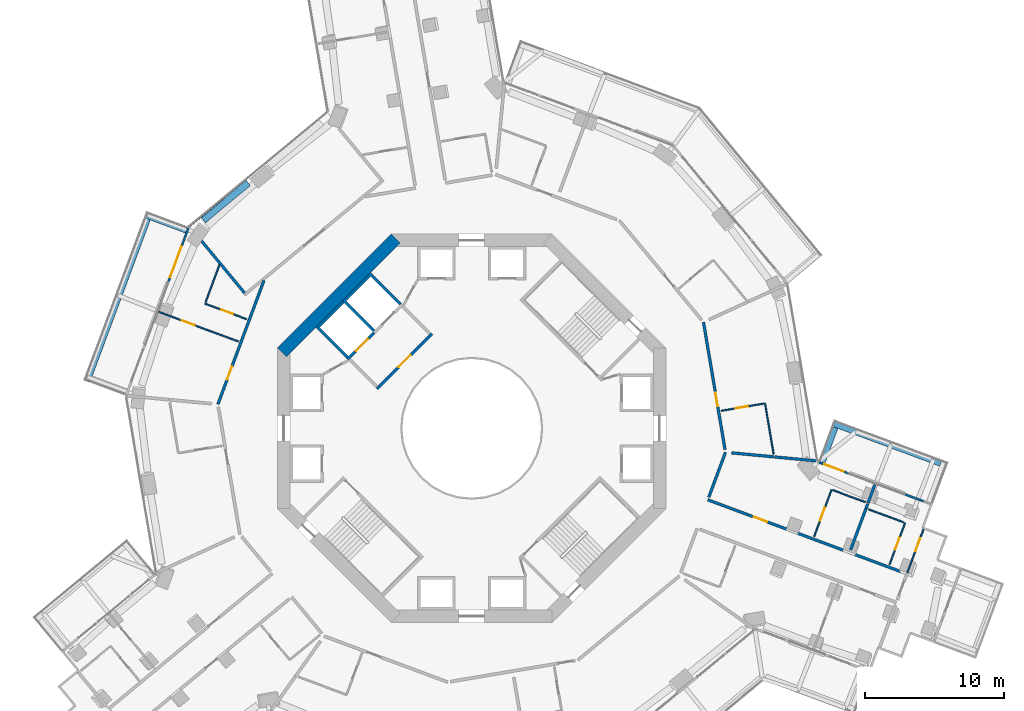
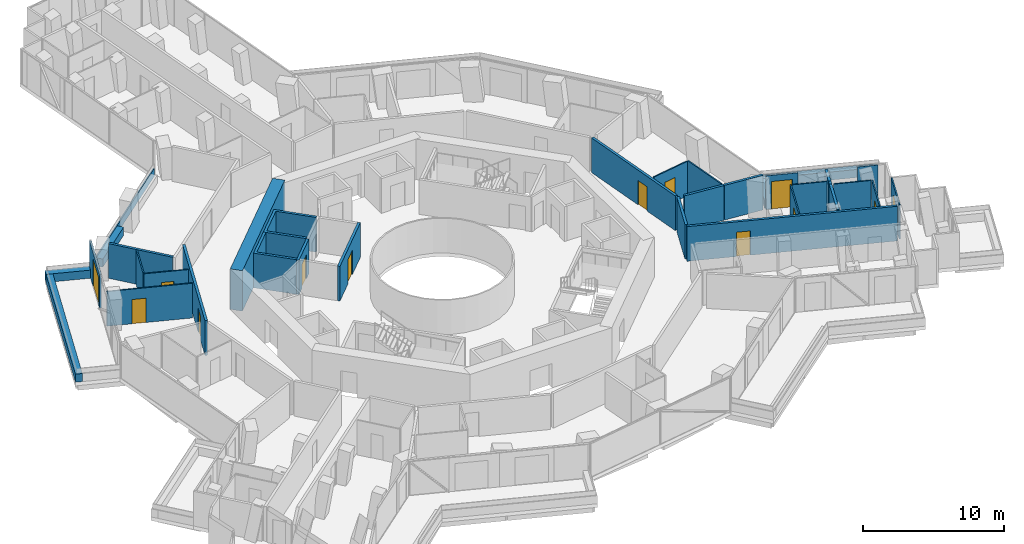
# One storey, part 22 of 27: 34 walls, 13 doors, 13 openings.
"""IFC4 building model written with IfcOpenShell, lengths in metres."""

import ifcopenshell
import ifcopenshell.guid

model = None  # the IFC model being written
_history = None  # IfcOwnerHistory: only IFC2X3 demands one
_inside = {}  # id of a spatial element -> (the spatial element, [elements in it])
_under = {}  # id of a project, library or spatial element -> (it, [spatial elements below it])
_declared = {}  # id of a project -> (the project, [libraries it declares])
_typed = {}  # id of a type object -> (the type object, [elements of that type])
_made_of = {}  # id of a material, layer set ... -> (it, [elements and type objects made of it])


def new_model(schema):
    """Start an empty IFC model of exactly this schema.

    Asked for "IFC4X3", IfcOpenShell would pick the latest addendum, in which some entities
    have other attributes; the version numbers below select the first issue.
    IFC2X3 requires an IfcOwnerHistory on every rooted entity: one is made here for all.
    """
    global model, _history
    if schema == "IFC4X3":
        model = ifcopenshell.file(schema_version=(4, 3, 0, 0))
    else:
        model = ifcopenshell.file(schema=schema)
    _inside.clear()
    _under.clear()
    _declared.clear()
    _typed.clear()
    _made_of.clear()
    _history = None
    if model.schema == "IFC2X3":
        org = make("IfcOrganization", Name="unknown")
        user = make(
            "IfcPersonAndOrganization",
            ThePerson=make("IfcPerson", FamilyName="unknown"),
            TheOrganization=org,
        )
        app = make(
            "IfcApplication",
            ApplicationDeveloper=org,
            Version="unknown",
            ApplicationFullName="unknown",
            ApplicationIdentifier="unknown",
        )
        _history = make(
            "IfcOwnerHistory",
            OwningUser=user,
            OwningApplication=app,
            ChangeAction="ADDED",
            CreationDate=0,
        )
    return model


def make(cls, **values):
    """One entity of the class cls with the attributes given. An attribute that is None is left unset."""
    return model.create_entity(
        cls, **{name: value for name, value in values.items() if value is not None}
    )


def rooted(cls, **values):
    """An entity with a GlobalId (a new one), such as an element, a storey or a relation."""
    return make(cls, GlobalId=ifcopenshell.guid.new(), OwnerHistory=_history, **values)


def si_unit(unit_type, name, prefix=None):
    """IfcSIUnit, for example si_unit("LENGTHUNIT", "METRE", prefix="MILLI")."""
    return make("IfcSIUnit", UnitType=unit_type, Prefix=prefix, Name=name)


def assignment(units):
    """IfcUnitAssignment: the units of a project."""
    return None if units is None else make("IfcUnitAssignment", Units=units)


def point(xyz):
    """IfcCartesianPoint."""
    return None if xyz is None else make("IfcCartesianPoint", Coordinates=xyz)


def direction(xyz):
    """IfcDirection."""
    return None if xyz is None else make("IfcDirection", DirectionRatios=xyz)


def frame(location, z_axis=None, x_axis=None):
    """IfcAxis2Placement3D, a coordinate frame: its origin and axes. An axis left out is left unset."""
    return make(
        "IfcAxis2Placement3D",
        Location=point(location),
        Axis=direction(z_axis),
        RefDirection=direction(x_axis),
    )


def frame_2d(location, x_axis=None):
    """IfcAxis2Placement2D, a coordinate frame in the plane: its origin and x axis."""
    return make(
        "IfcAxis2Placement2D", Location=point(location), RefDirection=direction(x_axis)
    )


def origin():
    """The frame at (0, 0, 0) with its axes left unset."""
    return frame((0.0, 0.0, 0.0))


def place(relative_to, where):
    """IfcLocalPlacement: puts the frame where relative to a parent placement (None: the world)."""
    return make(
        "IfcLocalPlacement", PlacementRelTo=relative_to, RelativePlacement=where
    )


def context(
    kind, dimensions, precision=None, world=None, true_north=None, identifier=None
):
    """IfcGeometricRepresentationContext, for example the 3D "Model" context."""
    return make(
        "IfcGeometricRepresentationContext",
        ContextIdentifier=identifier,
        ContextType=kind,
        CoordinateSpaceDimension=dimensions,
        Precision=precision,
        WorldCoordinateSystem=world,
        TrueNorth=true_north,
    )


def subcontext(parent, identifier, kind, view, scale=None):
    """IfcGeometricRepresentationSubContext, for example "Body" below "Model"."""
    return make(
        "IfcGeometricRepresentationSubContext",
        ContextIdentifier=identifier,
        ContextType=kind,
        ParentContext=parent,
        TargetScale=scale,
        TargetView=view,
    )


def project(units=None, contexts=None):
    """IfcProject with its units and contexts."""
    return rooted(
        "IfcProject",
        Name="project",
        RepresentationContexts=contexts,
        UnitsInContext=assignment(units),
    )


def spatial(cls, under=None, at=None, **own):
    """A site, building, storey or space (cls), placed at a placement, below another one or the project."""
    s = rooted(cls, ObjectPlacement=at, **own)
    if under is not None:
        _under.setdefault(under.id(), (under, []))[1].append(s)
    return s


def polyline(points):
    """IfcPolyline through the points."""
    return make("IfcPolyline", Points=[point(p) for p in points])


def profile(cls, at=None, kind="AREA", **sizes):
    """A parametric profile (cls). Its sizes go by their IFC names, for example OverallWidth=200.0."""
    return make(cls, ProfileType=kind, Position=at, **sizes)


def rectangle(**sizes):
    """IfcRectangleProfileDef."""
    return profile("IfcRectangleProfileDef", **sizes)


def outline(outer, holes=None, kind="AREA"):
    """IfcArbitraryClosedProfileDef: a profile drawn as a closed curve; with holes, ...WithVoids."""
    if holes is None:
        return make("IfcArbitraryClosedProfileDef", ProfileType=kind, OuterCurve=outer)
    return make(
        "IfcArbitraryProfileDefWithVoids",
        ProfileType=kind,
        OuterCurve=outer,
        InnerCurves=holes,
    )


def extrude(swept, where, along, depth):
    """IfcExtrudedAreaSolid: the profile swept, set in the frame where, extruded along a direction by depth."""
    return make(
        "IfcExtrudedAreaSolid",
        SweptArea=swept,
        Position=where,
        ExtrudedDirection=direction(along),
        Depth=depth,
    )


def shape(context_of_items, identifier, shape_type, items):
    """IfcShapeRepresentation: the items that make up one representation, for example the "Body"."""
    return make(
        "IfcShapeRepresentation",
        ContextOfItems=context_of_items,
        RepresentationIdentifier=identifier,
        RepresentationType=shape_type,
        Items=items,
    )


def material(Name=None, Category=None):
    """IfcMaterial."""
    return make("IfcMaterial", Name=Name, Category=Category)


def layer(
    of_material, thickness, ventilated=None, Name=None, Category=None, Priority=None
):
    """IfcMaterialLayer: one layer of a wall or slab, of a material (None: an air gap)."""
    return make(
        "IfcMaterialLayer",
        Material=of_material,
        LayerThickness=thickness,
        IsVentilated=ventilated,
        Name=Name,
        Category=Category,
        Priority=Priority,
    )


def layer_set(layers, Name=None):
    """IfcMaterialLayerSet."""
    return make("IfcMaterialLayerSet", MaterialLayers=layers, LayerSetName=Name)


def made_of(thing, what):
    """Note that an element or type object is made of a material, layer set ...; save() writes the relation."""
    if what is not None:
        _made_of.setdefault(what.id(), (what, []))[1].append(thing)
    return thing


def type_object(cls, material=None, **own):
    """A type object (cls), such as IfcWallType, which elements share."""
    return made_of(rooted(cls, **own), material)


def element(
    cls,
    number,
    at=None,
    inside=None,
    cuts=None,
    type_object=None,
    material=None,
    context=None,
    identifier="Body",
    shape_type=None,
    held_by="IfcProductDefinitionShape",
    body=None,
    shapes=None,
    **own,
):
    """One element of the class cls, such as IfcWall. Its Tag is "e" and its number.

    at: its placement. inside: the storey or other place that contains it. cuts: it is an
    opening in that element (IfcRelVoidsElement). A single representation is given by context,
    identifier, shape_type and body (its items); several are given by shapes. held_by: the class
    of the entity that holds the representations. save() writes the other relations.
    """
    e = rooted(cls, Tag="e%d" % number, ObjectPlacement=at, **own)
    if body is not None:
        shapes = [shape(context, identifier, shape_type, body)]
    if shapes is not None:
        e.Representation = make(held_by, Representations=shapes)
    if inside is not None:
        _inside.setdefault(inside.id(), (inside, []))[1].append(e)
    if cuts is not None:
        rooted(
            "IfcRelVoidsElement", RelatingBuildingElement=cuts, RelatedOpeningElement=e
        )
    if type_object is not None:
        _typed.setdefault(type_object.id(), (type_object, []))[1].append(e)
    return made_of(e, material)


def fill(opening, filler):
    """IfcRelFillsElement: the door or window that sits in an opening."""
    return rooted(
        "IfcRelFillsElement",
        RelatingOpeningElement=opening,
        RelatedBuildingElement=filler,
    )


def aggregate(whole, parts):
    """IfcRelAggregates: a whole, such as a stair, and the parts it consists of."""
    return rooted("IfcRelAggregates", RelatingObject=whole, RelatedObjects=parts)


def save(model, path):
    """Write the relations noted so far, then the file.

    IfcRelAggregates (storeys below a building ...), IfcRelContainedInSpatialStructure (elements
    in a storey), IfcRelDefinesByType, IfcRelAssociatesMaterial and IfcRelDeclares: one each for
    every whole, place, type object, material and project.
    """
    for whole, parts in _under.values():
        aggregate(whole, parts)
    for where, things in _inside.values():
        rooted(
            "IfcRelContainedInSpatialStructure",
            RelatedElements=things,
            RelatingStructure=where,
        )
    for kind, things in _typed.values():
        rooted("IfcRelDefinesByType", RelatedObjects=things, RelatingType=kind)
    for what, things in _made_of.values():
        rooted("IfcRelAssociatesMaterial", RelatedObjects=things, RelatingMaterial=what)
    for by, libraries in _declared.values():
        rooted("IfcRelDeclares", RelatingContext=by, RelatedDefinitions=libraries)
    model.write(path)


model = new_model("IFC4")

# Units and contexts
model_context = context("Model", 3, precision=1e-05, world=origin(), true_north=direction((0.0, 1.0)))
body_context = subcontext(model_context, "Body", "Model", "MODEL_VIEW")
ifc_project = project(units=[si_unit("LENGTHUNIT", "METRE"), si_unit("AREAUNIT", "SQUARE_METRE"), si_unit("VOLUMEUNIT", "CUBIC_METRE"), si_unit("PLANEANGLEUNIT", "RADIAN"), si_unit("MASSUNIT", "GRAM", prefix="KILO")], contexts=[model_context])

# Site, building, storey
site_placement = place(None, origin())
site = spatial("IfcSite", under=ifc_project, at=site_placement, CompositionType="ELEMENT")
building_placement = place(site_placement, origin())
building = spatial("IfcBuilding", under=site, at=building_placement, Name="Verdalira Terraces Hotel", CompositionType="ELEMENT")
storey_placement = place(building_placement, frame((0.0, 0.0, 71.5)))
storey = spatial("IfcBuildingStorey", under=building, at=storey_placement, Name="L16", CompositionType="ELEMENT", Elevation=71.5)

# Walls
ifc_material_1 = material(Name="Concrete C40", Category="concrete")
ifc_layer_1 = layer(ifc_material_1, 0.5)
ifc_layer_set_1 = layer_set([ifc_layer_1], Name="Balcony planter trough with tree")
wall_type_1 = type_object("IfcWallType", Name="Balcony planter trough with tree", PredefinedType="SOLIDWALL", material=ifc_layer_set_1)
wall_1_placement = place(storey_placement, frame((-20.559326, 14.314209, 0.0), z_axis=(0.0, 0.0, 1.0), x_axis=(-0.937288546, 0.348554417, 0.0)))
element("IfcWall", 1, at=wall_1_placement, inside=storey, type_object=wall_type_1, Name="Balcony planter", PredefinedType="SOLIDWALL", context=body_context, shape_type="SweptSolid", body=[
    extrude(rectangle(XDim=3.198975, YDim=0.5, at=frame_2d((1.599609, 0.0))), origin(), (0.0, 0.0, 1.0), 0.699951),
])
wall_2_placement = place(storey_placement, frame((-23.4104, 15.107666, 0.0), z_axis=(0.0, 0.0, 1.0), x_axis=(-0.348579301, -0.937279292, 0.0)))
element("IfcWall", 2, at=wall_2_placement, inside=storey, type_object=wall_type_1, Name="Balcony planter", PredefinedType="SOLIDWALL", context=body_context, shape_type="SweptSolid", body=[
    extrude(rectangle(XDim=12.499756, YDim=0.5, at=frame_2d((6.25, 0.0))), origin(), (0.0, 0.0, 1.0), 0.699951),
])
wall_3_placement = place(storey_placement, frame((33.828857, -2.498535, 0.0), z_axis=(0.0, 0.0, 1.0), x_axis=(-0.937276041, 0.348588043, 0.0)))
element("IfcWall", 3, at=wall_3_placement, inside=storey, type_object=wall_type_1, Name="Balcony planter", PredefinedType="SOLIDWALL", context=body_context, shape_type="SweptSolid", body=[
    extrude(rectangle(XDim=8.31958, YDim=0.5, at=frame_2d((4.159668, 0.0))), origin(), (0.0, 0.0, 1.0), 0.699951),
])
wall_4_placement = place(storey_placement, frame((26.177979, 0.080078, 0.0), z_axis=(0.0, 0.0, 1.0), x_axis=(-0.348524904, -0.937299521, 0.0)))
element("IfcWall", 4, at=wall_4_placement, inside=storey, type_object=wall_type_1, Name="Balcony planter", PredefinedType="SOLIDWALL", context=body_context, shape_type="SweptSolid", body=[
    extrude(rectangle(XDim=2.698975, YDim=0.5, at=frame_2d((1.349609, 0.0))), origin(), (0.0, 0.0, 1.0), 0.699951),
])

# Wall, opening, door
ifc_material_2 = material(Name="Moisture-resistant gypsum board partition")
ifc_layer_2 = layer(ifc_material_2, 0.10009765625)
ifc_layer_set_2 = layer_set([ifc_layer_2], Name="Bathroom partition 100 mm")
wall_type_2 = type_object("IfcWallType", Name="Bathroom partition 100 mm", PredefinedType="PARTITIONING", material=ifc_layer_set_2)
wall_5_placement = place(storey_placement, frame((-22.596191, 8.403564, 0.0), z_axis=(0.0, 0.0, 1.0), x_axis=(0.937275249, -0.348590172, 0.0)))
wall_5 = element("IfcWall", 5, at=wall_5_placement, inside=storey, type_object=wall_type_2, Name="Bathroom partition", PredefinedType="PARTITIONING", context=body_context, shape_type="SweptSolid", body=[
    extrude(rectangle(XDim=6.149902, YDim=0.100098, at=frame_2d((3.074951, 0.0))), origin(), (0.0, 0.0, 1.0), 3.0),
])
opening_1_placement = place(wall_5_placement, frame((1.800049, 0.0, 0.0)))
opening_1 = element("IfcOpeningElement", 6, at=opening_1_placement, cuts=wall_5, Name="Opening L16-110", PredefinedType="OPENING", context=body_context, shape_type="SweptSolid", body=[
    extrude(rectangle(XDim=1.0, YDim=2.100098, at=frame_2d((0.5, 1.050049))), frame((0.0, 0.060059, 0.0), z_axis=(0.0, -1.0, 0.0), x_axis=(1.0, 0.0, 0.0)), (0.0, 0.0, 1.0), 0.120117),
])
ifc_material_3 = material(Name="Timber door", Category="wood")
door_type_1 = type_object("IfcDoorType", Name="Suite internal door 1000 x 2100", OperationType="NOTDEFINED", PredefinedType="DOOR", material=ifc_material_3)
door_1_placement = place(opening_1_placement, origin())
door_1 = element("IfcDoor", 7, at=door_1_placement, inside=storey, type_object=door_type_1, Name="Suite internal door 1604", OperationType="SINGLE_SWING_LEFT", OverallHeight=2.10009765625, OverallWidth=1.0, PredefinedType="DOOR", context=body_context, shape_type="SweptSolid", body=[
    extrude(rectangle(XDim=1.0, YDim=2.100098, at=frame_2d((0.5, 1.050049))), frame((0.0, 0.024902, 0.0), z_axis=(0.0, -1.0, 0.0), x_axis=(1.0, 0.0, 0.0)), (0.0, 0.0, 1.0), 0.050049),
])
fill(opening_1, door_1)

# Wall
wall_6_placement = place(storey_placement, frame((-18.182617, 11.808594, 0.0), z_axis=(0.0, 0.0, 1.0), x_axis=(-0.348567559, -0.937283659, 0.0)))
element("IfcWall", 8, at=wall_6_placement, inside=storey, type_object=wall_type_2, Name="Bathroom partition", PredefinedType="PARTITIONING", context=body_context, shape_type="SweptSolid", body=[
    extrude(rectangle(XDim=2.911621, YDim=0.100098, at=frame_2d((1.455811, 0.0))), origin(), (0.0, 0.0, 1.0), 3.0),
])

# Wall, opening, door
wall_7_placement = place(storey_placement, frame((-19.232422, 8.98584, 0.0), z_axis=(0.0, 0.0, 1.0), x_axis=(0.937275771, -0.348588767, 0.0)))
wall_7 = element("IfcWall", 9, at=wall_7_placement, inside=storey, type_object=wall_type_2, Name="Bathroom partition", PredefinedType="PARTITIONING", context=body_context, shape_type="SweptSolid", body=[
    extrude(rectangle(XDim=3.199951, YDim=0.100098, at=frame_2d((1.600098, 0.0))), origin(), (0.0, 0.0, 1.0), 3.0),
])
opening_2_placement = place(wall_7_placement, frame((1.25, 0.0, 0.0)))
opening_2 = element("IfcOpeningElement", 10, at=opening_2_placement, cuts=wall_7, Name="Opening L16-111", PredefinedType="OPENING", context=body_context, shape_type="SweptSolid", body=[
    extrude(rectangle(XDim=0.899902, YDim=2.100098, at=frame_2d((0.449951, 1.050049))), frame((0.0, 0.060059, 0.0), z_axis=(0.0, -1.0, 0.0), x_axis=(1.0, 0.0, 0.0)), (0.0, 0.0, 1.0), 0.120117),
])
ifc_material_4 = material(Name="Timber door", Category="wood")
door_type_2 = type_object("IfcDoorType", Name="Bathroom door 900 x 2100", OperationType="NOTDEFINED", PredefinedType="DOOR", material=ifc_material_4)
door_2_placement = place(opening_2_placement, origin())
door_2 = element("IfcDoor", 11, at=door_2_placement, inside=storey, type_object=door_type_2, Name="Bathroom door 1604", OperationType="SINGLE_SWING_LEFT", OverallHeight=2.10009765625, OverallWidth=0.89990234375, PredefinedType="DOOR", context=body_context, shape_type="SweptSolid", body=[
    extrude(rectangle(XDim=0.899902, YDim=2.100098, at=frame_2d((0.449951, 1.050049))), frame((0.0, 0.024902, 0.0), z_axis=(0.0, -1.0, 0.0), x_axis=(1.0, 0.0, 0.0)), (0.0, 0.0, 1.0), 0.050049),
])
fill(opening_2, door_2)

wall_8_placement = place(storey_placement, frame((21.056641, 1.77832, 0.0), z_axis=(0.0, 0.0, 1.0), x_axis=(-0.98599085, -0.166799411, 0.0)))
wall_8 = element("IfcWall", 12, at=wall_8_placement, inside=storey, type_object=wall_type_2, Name="Bathroom partition", PredefinedType="PARTITIONING", context=body_context, shape_type="SweptSolid", body=[
    extrude(rectangle(XDim=3.100098, YDim=0.100098, at=frame_2d((1.550049, 0.0))), origin(), (0.0, 0.0, 1.0), 3.0),
])
opening_3_placement = place(wall_8_placement, frame((1.149902, 0.0, 0.0)))
opening_3 = element("IfcOpeningElement", 13, at=opening_3_placement, cuts=wall_8, Name="Opening L16-133", PredefinedType="OPENING", context=body_context, shape_type="SweptSolid", body=[
    extrude(rectangle(XDim=0.899902, YDim=2.100098, at=frame_2d((0.449951, 1.050049))), frame((0.0, 0.060059, 0.0), z_axis=(0.0, -1.0, 0.0), x_axis=(1.0, 0.0, 0.0)), (0.0, 0.0, 1.0), 0.120117),
])
door_3_placement = place(opening_3_placement, origin())
door_3 = element("IfcDoor", 14, at=door_3_placement, inside=storey, type_object=door_type_2, Name="Bathroom door 1614", OperationType="SINGLE_SWING_LEFT", OverallHeight=2.10009765625, OverallWidth=0.89990234375, PredefinedType="DOOR", context=body_context, shape_type="SweptSolid", body=[
    extrude(rectangle(XDim=0.899902, YDim=2.100098, at=frame_2d((0.449951, 1.050049))), frame((0.0, 0.024902, 0.0), z_axis=(0.0, -1.0, 0.0), x_axis=(1.0, 0.0, 0.0)), (0.0, 0.0, 1.0), 0.050049),
])
fill(opening_3, door_3)

# Wall
wall_9_placement = place(storey_placement, frame((21.155273, 1.794922, 0.0), z_axis=(0.0, 0.0, 1.0), x_axis=(0.16674987, -0.98599923, 0.0)))
element("IfcWall", 15, at=wall_9_placement, inside=storey, type_object=wall_type_2, Name="Bathroom partition", PredefinedType="PARTITIONING", context=body_context, shape_type="SweptSolid", body=[
    extrude(rectangle(XDim=3.704102, YDim=0.100098, at=frame_2d((1.852051, 0.0))), origin(), (0.0, 0.0, 1.0), 3.0),
])

# Wall, opening, door
wall_10_placement = place(storey_placement, frame((25.953857, -4.424316, 0.0), z_axis=(0.0, 0.0, 1.0), x_axis=(-0.348573011, -0.937281631, 0.0)))
wall_10 = element("IfcWall", 16, at=wall_10_placement, inside=storey, type_object=wall_type_2, Name="Bathroom partition", PredefinedType="PARTITIONING", context=body_context, shape_type="SweptSolid", body=[
    extrude(rectangle(XDim=3.600098, YDim=0.100098, at=frame_2d((1.800049, 0.0))), origin(), (0.0, 0.0, 1.0), 3.0),
])
opening_4_placement = place(wall_10_placement, frame((1.399902, 0.0, 0.0)))
opening_4 = element("IfcOpeningElement", 17, at=opening_4_placement, cuts=wall_10, Name="Opening L16-131", PredefinedType="OPENING", context=body_context, shape_type="SweptSolid", body=[
    extrude(rectangle(XDim=1.0, YDim=2.100098, at=frame_2d((0.5, 1.050049))), frame((0.0, 0.060059, 0.0), z_axis=(0.0, -1.0, 0.0), x_axis=(1.0, 0.0, 0.0)), (0.0, 0.0, 1.0), 0.120117),
])
ifc_material_5 = material(Name="Timber door", Category="wood")
door_type_3 = type_object("IfcDoorType", Name="Bathroom door 1000 x 2100", OperationType="NOTDEFINED", PredefinedType="DOOR", material=ifc_material_5)
door_4_placement = place(opening_4_placement, origin())
door_4 = element("IfcDoor", 18, at=door_4_placement, inside=storey, type_object=door_type_3, Name="Bathroom door 1613", OperationType="SINGLE_SWING_LEFT", OverallHeight=2.10009765625, OverallWidth=1.0, PredefinedType="DOOR", context=body_context, shape_type="SweptSolid", body=[
    extrude(rectangle(XDim=1.0, YDim=2.100098, at=frame_2d((0.5, 1.050049))), frame((0.0, 0.024902, 0.0), z_axis=(0.0, -1.0, 0.0), x_axis=(1.0, 0.0, 0.0)), (0.0, 0.0, 1.0), 0.050049),
])
fill(opening_4, door_4)

# Walls
wall_11_placement = place(storey_placement, frame((26.047607, -4.458984, 0.0), z_axis=(0.0, 0.0, 1.0), x_axis=(0.937264894, -0.348618011, 0.0)))
element("IfcWall", 19, at=wall_11_placement, inside=storey, type_object=wall_type_2, Name="Bathroom partition", PredefinedType="PARTITIONING", context=body_context, shape_type="SweptSolid", body=[
    extrude(rectangle(XDim=2.5, YDim=0.100098, at=frame_2d((1.25, 0.0))), origin(), (0.0, 0.0, 1.0), 3.0),
])
wall_12_placement = place(storey_placement, frame((31.156982, -6.785889, 0.0), z_axis=(0.0, 0.0, 1.0), x_axis=(-0.937313916, 0.348486189, 0.0)))
element("IfcWall", 20, at=wall_12_placement, inside=storey, type_object=wall_type_2, Name="Bathroom partition", PredefinedType="PARTITIONING", context=body_context, shape_type="SweptSolid", body=[
    extrude(rectangle(XDim=2.699951, YDim=0.100098, at=frame_2d((1.350098, 0.0))), origin(), (0.0, 0.0, 1.0), 3.0),
])

# Wall, opening, door
wall_13_placement = place(storey_placement, frame((30.135254, -9.820312, 0.0), z_axis=(0.0, 0.0, 1.0), x_axis=(0.348496819, 0.937309963, 0.0)))
wall_13 = element("IfcWall", 21, at=wall_13_placement, inside=storey, type_object=wall_type_2, Name="Bathroom partition", PredefinedType="PARTITIONING", context=body_context, shape_type="SweptSolid", body=[
    extrude(rectangle(XDim=3.200195, YDim=0.100098, at=frame_2d((1.600098, 0.0))), origin(), (0.0, 0.0, 1.0), 3.0),
])
opening_5_placement = place(wall_13_placement, frame((1.149902, 0.0, 0.0)))
opening_5 = element("IfcOpeningElement", 22, at=opening_5_placement, cuts=wall_13, Name="Opening L16-129", PredefinedType="OPENING", context=body_context, shape_type="SweptSolid", body=[
    extrude(rectangle(XDim=0.899902, YDim=2.100098, at=frame_2d((0.449951, 1.050049))), frame((0.0, 0.060059, 0.0), z_axis=(0.0, -1.0, 0.0), x_axis=(1.0, 0.0, 0.0)), (0.0, 0.0, 1.0), 0.120117),
])
door_5_placement = place(opening_5_placement, origin())
door_5 = element("IfcDoor", 23, at=door_5_placement, inside=storey, type_object=door_type_2, Name="Bathroom door 1612", OperationType="SINGLE_SWING_RIGHT", OverallHeight=2.10009765625, OverallWidth=0.89990234375, PredefinedType="DOOR", context=body_context, shape_type="SweptSolid", body=[
    extrude(rectangle(XDim=0.899902, YDim=2.100098, at=frame_2d((0.449951, 1.050049))), frame((0.0, 0.024902, 0.0), z_axis=(0.0, -1.0, 0.0), x_axis=(1.0, 0.0, 0.0)), (0.0, 0.0, 1.0), 0.050049),
])
fill(opening_5, door_5)

wall_14_placement = place(storey_placement, frame((31.421875, -10.405518, 0.0), z_axis=(0.0, 0.0, 1.0), x_axis=(0.348512016, 0.937304313, 0.0)))
wall_14 = element("IfcWall", 24, at=wall_14_placement, inside=storey, type_object=wall_type_2, Name="Bathroom partition", PredefinedType="PARTITIONING", context=body_context, shape_type="SweptSolid", body=[
    extrude(rectangle(XDim=3.352051, YDim=0.100098, at=frame_2d((1.676025, 0.0))), origin(), (0.0, 0.0, 1.0), 3.0),
])
opening_6_placement = place(wall_14_placement, frame((1.649902, 0.0, 0.0)))
opening_6 = element("IfcOpeningElement", 25, at=opening_6_placement, cuts=wall_14, Name="Opening L16-128", PredefinedType="OPENING", context=body_context, shape_type="SweptSolid", body=[
    extrude(rectangle(XDim=1.0, YDim=2.100098, at=frame_2d((0.5, 1.050049))), frame((0.0, 0.060059, 0.0), z_axis=(0.0, -1.0, 0.0), x_axis=(1.0, 0.0, 0.0)), (0.0, 0.0, 1.0), 0.120117),
])
door_6_placement = place(opening_6_placement, origin())
door_6 = element("IfcDoor", 26, at=door_6_placement, inside=storey, type_object=door_type_1, Name="Suite internal door 1612", OperationType="SINGLE_SWING_LEFT", OverallHeight=2.10009765625, OverallWidth=1.0, PredefinedType="DOOR", context=body_context, shape_type="SweptSolid", body=[
    extrude(rectangle(XDim=1.0, YDim=2.100098, at=frame_2d((0.5, 1.050049))), frame((0.0, 0.024902, 0.0), z_axis=(0.0, -1.0, 0.0), x_axis=(1.0, 0.0, 0.0)), (0.0, 0.0, 1.0), 0.050049),
])
fill(opening_6, door_6)

# Walls
ifc_material_6 = material(Name="Concrete C50", Category="concrete")
ifc_layer_3 = layer(ifc_material_6, 0.199951171875)
ifc_layer_set_3 = layer_set([ifc_layer_3], Name="Core RC wall 200 C50")
wall_type_3 = type_object("IfcWallType", Name="Core RC wall 200 C50", PredefinedType="SOLIDWALL", material=ifc_layer_set_3)
wall_15_placement = place(storey_placement, origin())
element("IfcWall", 27, at=wall_15_placement, inside=storey, type_object=wall_type_3, Name="L16 shaft wall F1", PredefinedType="SOLIDWALL", context=body_context, shape_type="SweptSolid", body=[
    extrude(outline(polyline([(-9.33374, 9.192383), (-7.283203, 11.24292), (-5.055908, 9.015625), (-5.197266, 8.874268), (-7.283203, 10.960205), (-9.051025, 9.192383), (-6.965088, 7.106445), (-7.106445, 6.965088), (-9.33374, 9.192383)])), origin(), (0.0, 0.0, 1.0), 3.0),
])
wall_16_placement = place(storey_placement, origin())
element("IfcWall", 28, at=wall_16_placement, inside=storey, type_object=wall_type_3, Name="L16 shaft wall F2", PredefinedType="SOLIDWALL", context=body_context, shape_type="SweptSolid", body=[
    extrude(outline(polyline([(-11.24292, 7.283203), (-9.33374, 9.192383), (-9.192383, 9.051025), (-10.960205, 7.283203), (-8.874268, 5.197266), (-9.015625, 5.055908), (-11.24292, 7.283203)])), origin(), (0.0, 0.0, 1.0), 3.0),
])

# Wall, opening, door
wall_17_placement = place(storey_placement, frame((-7.035645, 6.894287, 0.0), z_axis=(0.0, 0.0, 1.0), x_axis=(-0.707106781, -0.707106781, 0.0)))
wall_17 = element("IfcWall", 29, at=wall_17_placement, inside=storey, type_object=wall_type_3, Name="L16 shaft front wall F2", PredefinedType="SOLIDWALL", context=body_context, shape_type="SweptSolid", body=[
    extrude(rectangle(XDim=2.699951, YDim=0.199951, at=frame_2d((1.350098, 0.0))), origin(), (0.0, 0.0, 1.0), 3.0),
])
opening_7_placement = place(wall_17_placement, frame((0.649902, 0.0, 0.0)))
opening_7 = element("IfcOpeningElement", 30, at=opening_7_placement, cuts=wall_17, Name="Opening LD-L16-808", PredefinedType="OPENING", context=body_context, shape_type="SweptSolid", body=[
    extrude(rectangle(XDim=1.199951, YDim=2.100098, at=frame_2d((0.600098, 1.050049))), frame((0.0, 0.109863, 0.0), z_axis=(0.0, -1.0, 0.0), x_axis=(1.0, 0.0, 0.0)), (0.0, 0.0, 1.0), 0.219971),
])
ifc_material_7 = material(Name="Stainless steel", Category="steel")
door_type_4 = type_object("IfcDoorType", Name="Landing door 1200 x 2100", OperationType="NOTDEFINED", PredefinedType="DOOR", material=ifc_material_7)
door_7_placement = place(opening_7_placement, origin())
door_7 = element("IfcDoor", 31, at=door_7_placement, inside=storey, type_object=door_type_4, Name="Lift landing door LF12 L16", OperationType="DOUBLE_DOOR_SLIDING", OverallHeight=2.10009765625, OverallWidth=1.199951171875, PredefinedType="DOOR", context=body_context, shape_type="SweptSolid", body=[
    extrude(rectangle(XDim=1.199951, YDim=2.100098, at=frame_2d((0.600098, 1.050049))), frame((0.0, 0.024902, 0.0), z_axis=(0.0, -1.0, 0.0), x_axis=(1.0, 0.0, 0.0)), (0.0, 0.0, 1.0), 0.050049),
])
fill(opening_7, door_7)

wall_18_placement = place(storey_placement, frame((-2.86377, 6.823486, 0.0), z_axis=(0.0, 0.0, 1.0), x_axis=(-0.707106781, -0.707106781, 0.0)))
wall_18 = element("IfcWall", 32, at=wall_18_placement, inside=storey, type_object=wall_type_3, Name="L16 fire lobby wall", PredefinedType="SOLIDWALL", context=body_context, shape_type="SweptSolid", body=[
    extrude(rectangle(XDim=5.599854, YDim=0.199951, at=frame_2d((2.799805, 0.0))), origin(), (0.0, 0.0, 1.0), 3.0),
])
opening_8_placement = place(wall_18_placement, frame((2.199951, 0.0, 0.0)))
opening_8 = element("IfcOpeningElement", 33, at=opening_8_placement, cuts=wall_18, Name="Opening L16-819", PredefinedType="OPENING", context=body_context, shape_type="SweptSolid", body=[
    extrude(rectangle(XDim=1.199951, YDim=2.100098, at=frame_2d((0.600098, 1.050049))), frame((0.0, 0.109863, 0.0), z_axis=(0.0, -1.0, 0.0), x_axis=(1.0, 0.0, 0.0)), (0.0, 0.0, 1.0), 0.219971),
])
ifc_material_8 = material(Name="Steel fire door", Category="steel")
door_type_5 = type_object("IfcDoorType", Name="Lobby door 1200 x 2100", OperationType="NOTDEFINED", PredefinedType="DOOR", material=ifc_material_8)
door_8_placement = place(opening_8_placement, origin())
door_8 = element("IfcDoor", 34, at=door_8_placement, inside=storey, type_object=door_type_5, Name="Fire lobby door L16", OperationType="SINGLE_SWING_LEFT", OverallHeight=2.10009765625, OverallWidth=1.199951171875, PredefinedType="DOOR", context=body_context, shape_type="SweptSolid", body=[
    extrude(rectangle(XDim=1.199951, YDim=2.100098, at=frame_2d((0.600098, 1.050049))), frame((0.0, 0.024902, 0.0), z_axis=(0.0, -1.0, 0.0), x_axis=(1.0, 0.0, 0.0)), (0.0, 0.0, 1.0), 0.050049),
])
fill(opening_8, door_8)

# Walls
ifc_material_9 = material(Name="Concrete C70", Category="concrete")
ifc_layer_4 = layer(ifc_material_9, 0.89990234375)
ifc_layer_set_4 = layer_set([ifc_layer_4], Name="Core wall 900 C70")
wall_type_4 = type_object("IfcWallType", Name="Core wall 900 C70", PredefinedType="SHEAR", material=ifc_layer_set_4)
wall_19_placement = place(storey_placement, frame((-5.480713, 13.681885, 0.0), z_axis=(0.0, 0.0, 1.0), x_axis=(-0.707106781, -0.707106781, 0.0)))
element("IfcWall", 35, at=wall_19_placement, inside=storey, type_object=wall_type_4, Name="Core wall CW-L16-4", PredefinedType="SHEAR", context=body_context, shape_type="SweptSolid", body=[
    extrude(rectangle(XDim=11.598145, YDim=0.899902, at=frame_2d((5.799072, 0.0))), origin(), (0.0, 0.0, 1.0), 3.5),
])
ifc_material_10 = material(Name="Fire-rated gypsum board wall")
ifc_layer_5 = layer(ifc_material_10, 0.199951171875)
ifc_layer_set_5 = layer_set([ifc_layer_5], Name="Demising wall 200 mm")
wall_type_5 = type_object("IfcWallType", Name="Demising wall 200 mm", PredefinedType="SOLIDWALL", material=ifc_layer_set_5)
wall_20_placement = place(storey_placement, frame((18.748291, -1.772217, 0.0), z_axis=(0.0, 0.0, 1.0), x_axis=(0.995564081, -0.094085927, 0.0)))
element("IfcWall", 36, at=wall_20_placement, inside=storey, type_object=wall_type_5, Name="Demising wall", PredefinedType="SOLIDWALL", context=body_context, shape_type="SweptSolid", body=[
    extrude(rectangle(XDim=3.074951, YDim=0.199951, at=frame_2d((1.537598, 0.0))), origin(), (0.0, 0.0, 1.0), 3.0),
])
wall_21_placement = place(storey_placement, frame((21.855225, -2.065918, 0.0), z_axis=(0.0, 0.0, 1.0), x_axis=(0.995560459, -0.094124242, 0.0)))
element("IfcWall", 37, at=wall_21_placement, inside=storey, type_object=wall_type_5, Name="Demising wall", PredefinedType="SOLIDWALL", context=body_context, shape_type="SweptSolid", body=[
    extrude(rectangle(XDim=3.011475, YDim=0.199951, at=frame_2d((1.505859, 0.0))), origin(), (0.0, 0.0, 1.0), 3.0),
])
wall_22_placement = place(storey_placement, frame((27.323486, -8.774414, 0.0), z_axis=(0.0, 0.0, 1.0), x_axis=(0.348521741, 0.937300697, 0.0)))
element("IfcWall", 38, at=wall_22_placement, inside=storey, type_object=wall_type_5, Name="Demising wall", PredefinedType="SOLIDWALL", context=body_context, shape_type="SweptSolid", body=[
    extrude(rectangle(XDim=3.199951, YDim=0.199951, at=frame_2d((1.600098, 0.0))), origin(), (0.0, 0.0, 1.0), 3.0),
])
wall_23_placement = place(storey_placement, frame((28.438721, -5.775146, 0.0), z_axis=(0.0, 0.0, 1.0), x_axis=(0.348917916, 0.937153289, 0.0)))
element("IfcWall", 39, at=wall_23_placement, inside=storey, type_object=wall_type_5, Name="Demising wall", PredefinedType="SOLIDWALL", context=body_context, shape_type="SweptSolid", body=[
    extrude(rectangle(XDim=0.352051, YDim=0.199951, at=frame_2d((0.176025, 0.0))), origin(), (0.0, 0.0, 1.0), 3.0),
])
wall_24_placement = place(storey_placement, frame((28.577393, -5.4021, 0.0), z_axis=(0.0, 0.0, 1.0), x_axis=(0.348579135, 0.937279353, 0.0)))
element("IfcWall", 40, at=wall_24_placement, inside=storey, type_object=wall_type_5, Name="Demising wall", PredefinedType="SOLIDWALL", context=body_context, shape_type="SweptSolid", body=[
    extrude(rectangle(XDim=1.451904, YDim=0.199951, at=frame_2d((0.726074, 0.0))), origin(), (0.0, 0.0, 1.0), 3.0),
])

# Wall, opening, door
ifc_material_11 = material(Name="Fire-rated gypsum board wall")
ifc_layer_6 = layer(ifc_material_11, 0.199951171875)
ifc_layer_set_6 = layer_set([ifc_layer_6], Name="Guest corridor wall 200 mm")
wall_type_6 = type_object("IfcWallType", Name="Guest corridor wall 200 mm", PredefinedType="SOLIDWALL", material=ifc_layer_set_6)
wall_25_placement = place(storey_placement, frame((-18.303223, 1.730225, 0.0), z_axis=(0.0, 0.0, 1.0), x_axis=(0.348574729, 0.937280992, 0.0)))
wall_25 = element("IfcWall", 41, at=wall_25_placement, inside=storey, type_object=wall_type_6, Name="Guest corridor wall", PredefinedType="SOLIDWALL", context=body_context, shape_type="SweptSolid", body=[
    extrude(rectangle(XDim=9.536621, YDim=0.199951, at=frame_2d((4.768311, 0.0))), origin(), (0.0, 0.0, 1.0), 3.0),
])
opening_9_placement = place(wall_25_placement, frame((1.899902, 0.0, 0.0)))
opening_9 = element("IfcOpeningElement", 42, at=opening_9_placement, cuts=wall_25, Name="Opening L16-109", PredefinedType="OPENING", context=body_context, shape_type="SweptSolid", body=[
    extrude(rectangle(XDim=1.0, YDim=2.100098, at=frame_2d((0.5, 1.050049))), frame((0.0, 0.109863, 0.0), z_axis=(0.0, -1.0, 0.0), x_axis=(1.0, 0.0, 0.0)), (0.0, 0.0, 1.0), 0.219971),
])
ifc_material_12 = material(Name="Timber fire door", Category="wood")
door_type_6 = type_object("IfcDoorType", Name="Guest entry door 1000 x 2100", OperationType="NOTDEFINED", PredefinedType="DOOR", material=ifc_material_12)
door_9_placement = place(opening_9_placement, origin())
door_9 = element("IfcDoor", 43, at=door_9_placement, inside=storey, type_object=door_type_6, Name="Guest entry door 1604", OperationType="SINGLE_SWING_LEFT", OverallHeight=2.10009765625, OverallWidth=1.0, PredefinedType="DOOR", context=body_context, shape_type="SweptSolid", body=[
    extrude(rectangle(XDim=1.0, YDim=2.100098, at=frame_2d((0.5, 1.050049))), frame((0.0, 0.024902, 0.0), z_axis=(0.0, -1.0, 0.0), x_axis=(1.0, 0.0, 0.0)), (0.0, 0.0, 1.0), 0.050049),
])
fill(opening_9, door_9)

wall_26_placement = place(storey_placement, frame((16.716064, 7.65332, 0.0), z_axis=(0.0, 0.0, 1.0), x_axis=(0.166765417, -0.9859966, 0.0)))
wall_26 = element("IfcWall", 44, at=wall_26_placement, inside=storey, type_object=wall_type_6, Name="Guest corridor wall", PredefinedType="SOLIDWALL", context=body_context, shape_type="SweptSolid", body=[
    extrude(rectangle(XDim=9.31665, YDim=0.199951, at=frame_2d((4.658203, 0.0))), origin(), (0.0, 0.0, 1.0), 3.0),
])
opening_10_placement = place(wall_26_placement, frame((5.149902, 0.0, 0.0)))
opening_10 = element("IfcOpeningElement", 45, at=opening_10_placement, cuts=wall_26, Name="Opening L16-132", PredefinedType="OPENING", context=body_context, shape_type="SweptSolid", body=[
    extrude(rectangle(XDim=1.0, YDim=2.100098, at=frame_2d((0.5, 1.050049))), frame((0.0, 0.109863, 0.0), z_axis=(0.0, -1.0, 0.0), x_axis=(1.0, 0.0, 0.0)), (0.0, 0.0, 1.0), 0.219971),
])
door_10_placement = place(opening_10_placement, origin())
door_10 = element("IfcDoor", 46, at=door_10_placement, inside=storey, type_object=door_type_6, Name="Guest entry door 1614", OperationType="SINGLE_SWING_LEFT", OverallHeight=2.10009765625, OverallWidth=1.0, PredefinedType="DOOR", context=body_context, shape_type="SweptSolid", body=[
    extrude(rectangle(XDim=1.0, YDim=2.100098, at=frame_2d((0.5, 1.050049))), frame((0.0, 0.024902, 0.0), z_axis=(0.0, -1.0, 0.0), x_axis=(1.0, 0.0, 0.0)), (0.0, 0.0, 1.0), 0.050049),
])
fill(opening_10, door_10)

# Wall
wall_27_placement = place(storey_placement, frame((17.097656, -4.97168, 0.0), z_axis=(0.0, 0.0, 1.0), x_axis=(0.348592386, 0.937274425, 0.0)))
element("IfcWall", 47, at=wall_27_placement, inside=storey, type_object=wall_type_6, Name="Guest corridor wall", PredefinedType="SOLIDWALL", context=body_context, shape_type="SweptSolid", body=[
    extrude(rectangle(XDim=3.458496, YDim=0.199951, at=frame_2d((1.729248, 0.0))), origin(), (0.0, 0.0, 1.0), 3.0),
])

# Wall, opening, door
wall_28_placement = place(storey_placement, frame((17.028076, -5.158936, 0.0), z_axis=(0.0, 0.0, 1.0), x_axis=(0.937277315, -0.348584617, 0.0)))
wall_28 = element("IfcWall", 48, at=wall_28_placement, inside=storey, type_object=wall_type_6, Name="Guest corridor wall", PredefinedType="SOLIDWALL", context=body_context, shape_type="SweptSolid", body=[
    extrude(rectangle(XDim=15.119629, YDim=0.199951, at=frame_2d((7.559814, 0.0))), origin(), (0.0, 0.0, 1.0), 3.0),
])
opening_11_placement = place(wall_28_placement, frame((3.550049, 0.0, 0.0)))
opening_11 = element("IfcOpeningElement", 49, at=opening_11_placement, cuts=wall_28, Name="Opening L16-130", PredefinedType="OPENING", context=body_context, shape_type="SweptSolid", body=[
    extrude(rectangle(XDim=1.0, YDim=2.100098, at=frame_2d((0.5, 1.050049))), frame((0.0, 0.109863, 0.0), z_axis=(0.0, -1.0, 0.0), x_axis=(1.0, 0.0, 0.0)), (0.0, 0.0, 1.0), 0.219971),
])
door_11_placement = place(opening_11_placement, origin())
door_11 = element("IfcDoor", 50, at=door_11_placement, inside=storey, type_object=door_type_6, Name="Guest entry door 1613", OperationType="SINGLE_SWING_LEFT", OverallHeight=2.10009765625, OverallWidth=1.0, PredefinedType="DOOR", context=body_context, shape_type="SweptSolid", body=[
    extrude(rectangle(XDim=1.0, YDim=2.100098, at=frame_2d((0.5, 1.050049))), frame((0.0, 0.024902, 0.0), z_axis=(0.0, -1.0, 0.0), x_axis=(1.0, 0.0, 0.0)), (0.0, 0.0, 1.0), 0.050049),
])
fill(opening_11, door_11)

# Walls
ifc_material_13 = material(Name="Terracotta cladding", Category="masonry")
ifc_layer_7 = layer(ifc_material_13, 0.199951171875)
ifc_layer_set_7 = layer_set([ifc_layer_7], Name="Loggia back wall 200")
wall_type_7 = type_object("IfcWallType", Name="Loggia back wall 200", PredefinedType="SOLIDWALL", material=ifc_layer_set_7)
wall_29_placement = place(storey_placement, frame((-19.477051, 13.503174, 0.0), z_axis=(0.0, 0.0, 1.0), x_axis=(0.637423805, -0.770513396, 0.0)))
element("IfcWall", 51, at=wall_29_placement, inside=storey, type_object=wall_type_7, Name="Loggia side wall", PredefinedType="SOLIDWALL", context=body_context, shape_type="SweptSolid", body=[
    extrude(rectangle(XDim=4.861084, YDim=0.199951, at=frame_2d((2.430664, 0.0))), origin(), (0.0, 0.0, 1.0), 3.0),
])
ifc_material_14 = material(Name="Concrete C40", Category="concrete")
ifc_layer_8 = layer(ifc_material_14, 0.5)
ifc_layer_set_8 = layer_set([ifc_layer_8], Name="Loggia planter trough with tree")
wall_type_8 = type_object("IfcWallType", Name="Loggia planter trough with tree", PredefinedType="SOLIDWALL", material=ifc_layer_set_8)
wall_30_placement = place(storey_placement, frame((-16.117432, 17.695557, 0.0), z_axis=(0.0, 0.0, 1.0), x_axis=(-0.770540333, -0.637391241, 0.0)))
element("IfcWall", 52, at=wall_30_placement, inside=storey, type_object=wall_type_8, Name="Loggia planter", PredefinedType="SOLIDWALL", context=body_context, shape_type="SweptSolid", body=[
    extrude(rectangle(XDim=4.218994, YDim=0.5, at=frame_2d((2.109375, 0.0))), origin(), (0.0, 0.0, 1.0), 0.699951),
])
ifc_material_15 = material(Name="Concrete C40", Category="concrete")
ifc_layer_9 = layer(ifc_material_15, 0.10009765625)
ifc_layer_set_9 = layer_set([ifc_layer_9], Name="Loggia upstand 100")
wall_type_9 = type_object("IfcWallType", Name="Loggia upstand 100", PredefinedType="SOLIDWALL", material=ifc_layer_set_9)
wall_31_placement = place(storey_placement, frame((-10.484375, 22.745117, 0.0), z_axis=(0.0, 0.0, 1.0), x_axis=(-0.770508957, -0.63742917, 0.0)))
element("IfcWall", 53, at=wall_31_placement, inside=storey, type_object=wall_type_9, Name="Loggia upstand", PredefinedType="SOLIDWALL", context=body_context, shape_type="SweptSolid", body=[
    extrude(rectangle(XDim=12.840088, YDim=0.100098, at=frame_2d((6.419922, 0.0))), origin(), (0.0, 0.0, 1.0), 0.699951),
])
ifc_material_16 = material(Name="Terracotta cladding", Category="masonry")
ifc_layer_10 = layer(ifc_material_16, 0.14990234375)
ifc_layer_set_10 = layer_set([ifc_layer_10], Name="Terracotta column pier 150")
wall_type_10 = type_object("IfcWallType", Name="Terracotta column pier 150", PredefinedType="SOLIDWALL", material=ifc_layer_set_10)
wall_32_placement = place(storey_placement, frame((32.586914, -5.26416, 0.0), z_axis=(0.0, 0.0, 1.0), x_axis=(-0.937243376, 0.348675859, 0.0)))
element("IfcWall", 54, at=wall_32_placement, inside=storey, type_object=wall_type_10, Name="Terracotta column pier", PredefinedType="SOLIDWALL", context=body_context, shape_type="SweptSolid", body=[
    extrude(rectangle(XDim=1.465576, YDim=0.149902, at=frame_2d((0.73291, 0.0))), origin(), (0.0, 0.0, 1.0), 2.935059),
])

# Wall, opening, door
ifc_material_17 = material(Name="Terracotta cladding", Category="masonry")
ifc_layer_11 = layer(ifc_material_17, 0.14990234375)
ifc_layer_set_11 = layer_set([ifc_layer_11], Name="Terracotta door pier 150")
wall_type_11 = type_object("IfcWallType", Name="Terracotta door pier 150", PredefinedType="SOLIDWALL", material=ifc_layer_set_11)
wall_33_placement = place(storey_placement, frame((-20.421875, 14.46582, 0.0), z_axis=(0.0, 0.0, 1.0), x_axis=(-0.348533865, -0.937296188, 0.0)))
wall_33 = element("IfcWall", 55, at=wall_33_placement, inside=storey, type_object=wall_type_11, Name="Terracotta door pier", PredefinedType="SOLIDWALL", context=body_context, shape_type="SweptSolid", body=[
    extrude(rectangle(XDim=4.217529, YDim=0.149902, at=frame_2d((2.108887, 0.0))), origin(), (0.0, 0.0, 1.0), 2.935059),
])
opening_12_placement = place(wall_33_placement, frame((1.41748, 0.0, 0.0)))
opening_12 = element("IfcOpeningElement", 56, at=opening_12_placement, cuts=wall_33, Name="Opening L16-B01", PredefinedType="OPENING", context=body_context, shape_type="SweptSolid", body=[
    extrude(rectangle(XDim=2.399902, YDim=2.399902, at=frame_2d((1.199951, 1.199951))), frame((0.0, 0.084961, 0.0), z_axis=(0.0, -1.0, 0.0), x_axis=(1.0, 0.0, 0.0)), (0.0, 0.0, 1.0), 0.169922),
])
ifc_material_18 = material(Name="Clear glass", Category="glass")
door_type_7 = type_object("IfcDoorType", Name="Balcony sliding door 2400x2400", OperationType="NOTDEFINED", PredefinedType="DOOR", material=ifc_material_18)
door_12_placement = place(opening_12_placement, origin())
door_12 = element("IfcDoor", 57, at=door_12_placement, inside=storey, type_object=door_type_7, Name="Balcony sliding door", OperationType="SLIDING_TO_LEFT", OverallHeight=2.39990234375, OverallWidth=2.39990234375, PredefinedType="DOOR", context=body_context, shape_type="SweptSolid", body=[
    extrude(rectangle(XDim=2.399902, YDim=2.399902, at=frame_2d((1.199951, 1.199951))), frame((0.0, 0.024902, 0.0), z_axis=(0.0, -1.0, 0.0), x_axis=(1.0, 0.0, 0.0)), (0.0, 0.0, 1.0), 0.050049),
])
fill(opening_12, door_12)

wall_34_placement = place(storey_placement, frame((27.197754, -3.259766, 0.0), z_axis=(0.0, 0.0, 1.0), x_axis=(-0.93731138, 0.348493008, 0.0)))
wall_34 = element("IfcWall", 58, at=wall_34_placement, inside=storey, type_object=wall_type_11, Name="Terracotta door pier", PredefinedType="SOLIDWALL", context=body_context, shape_type="SweptSolid", body=[
    extrude(rectangle(XDim=2.300049, YDim=0.149902, at=frame_2d((1.149902, 0.0))), origin(), (0.0, 0.0, 1.0), 2.935059),
])
opening_13_placement = place(wall_34_placement, frame((0.399902, 0.0, 0.0)))
opening_13 = element("IfcOpeningElement", 59, at=opening_13_placement, cuts=wall_34, Name="Opening L16-B14", PredefinedType="OPENING", context=body_context, shape_type="SweptSolid", body=[
    extrude(rectangle(XDim=1.5, YDim=2.399902, at=frame_2d((0.75, 1.199951))), frame((0.0, 0.084961, 0.0), z_axis=(0.0, -1.0, 0.0), x_axis=(1.0, 0.0, 0.0)), (0.0, 0.0, 1.0), 0.169922),
])
ifc_material_19 = material(Name="Clear glass", Category="glass")
door_type_8 = type_object("IfcDoorType", Name="Balcony sliding door 1500x2400", OperationType="NOTDEFINED", PredefinedType="DOOR", material=ifc_material_19)
door_13_placement = place(opening_13_placement, origin())
door_13 = element("IfcDoor", 60, at=door_13_placement, inside=storey, type_object=door_type_8, Name="Balcony sliding door", OperationType="SLIDING_TO_RIGHT", OverallHeight=2.39990234375, OverallWidth=1.5, PredefinedType="DOOR", context=body_context, shape_type="SweptSolid", body=[
    extrude(rectangle(XDim=1.5, YDim=2.399902, at=frame_2d((0.75, 1.199951))), frame((0.0, 0.024902, 0.0), z_axis=(0.0, -1.0, 0.0), x_axis=(1.0, 0.0, 0.0)), (0.0, 0.0, 1.0), 0.050049),
])
fill(opening_13, door_13)

save(model, "model.ifc")
